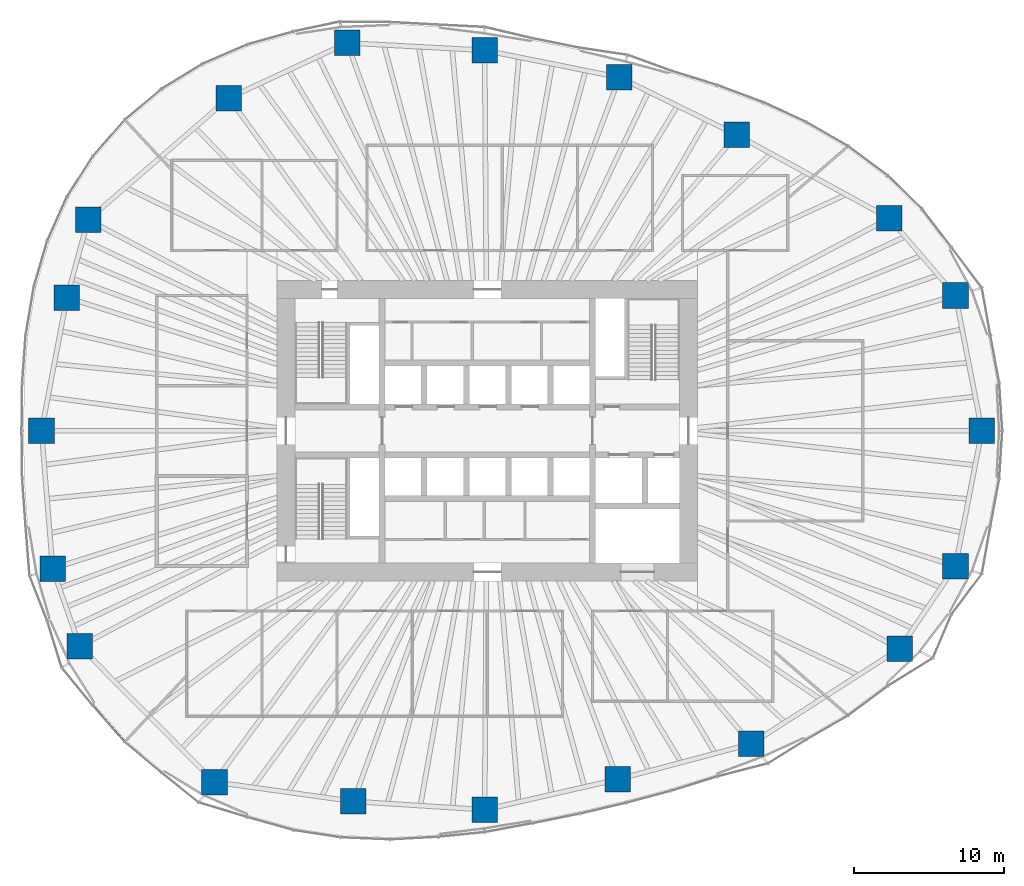
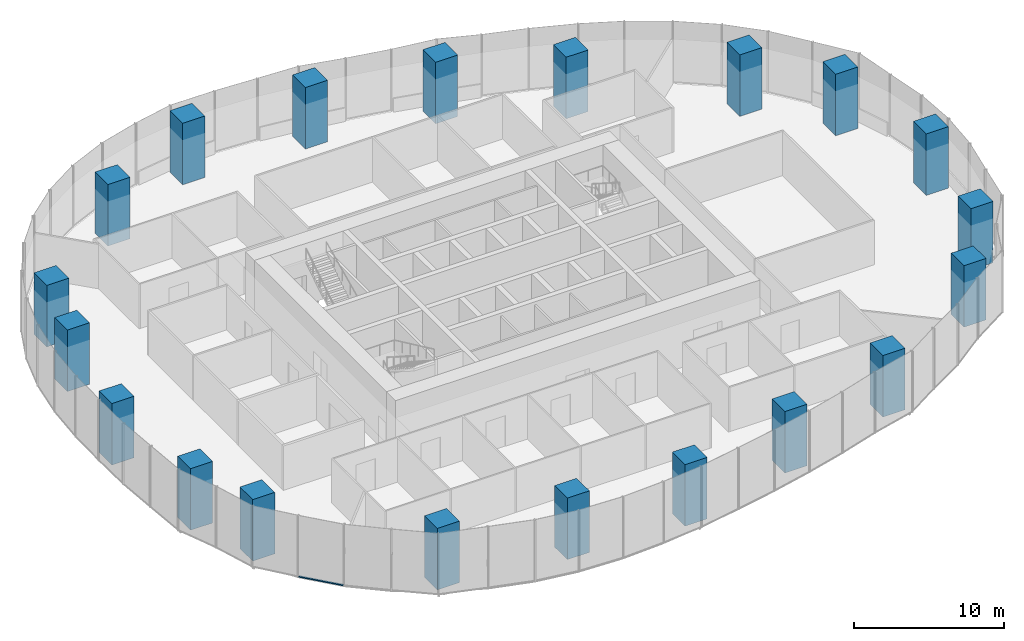
# One storey, part 1 of 20: 20 columns, 1 member, 1 element without a shape of its own.
"""IFC4 building model written with IfcOpenShell, lengths in metres."""

import ifcopenshell
import ifcopenshell.guid

model = None  # the IFC model being written
_history = None  # IfcOwnerHistory: only IFC2X3 demands one
_inside = {}  # id of a spatial element -> (the spatial element, [elements in it])
_under = {}  # id of a project, library or spatial element -> (it, [spatial elements below it])
_declared = {}  # id of a project -> (the project, [libraries it declares])
_typed = {}  # id of a type object -> (the type object, [elements of that type])
_made_of = {}  # id of a material, layer set ... -> (it, [elements and type objects made of it])


def new_model(schema):
    """Start an empty IFC model of exactly this schema.

    Asked for "IFC4X3", IfcOpenShell would pick the latest addendum, in which some entities
    have other attributes; the version numbers below select the first issue.
    IFC2X3 requires an IfcOwnerHistory on every rooted entity: one is made here for all.
    """
    global model, _history
    if schema == "IFC4X3":
        model = ifcopenshell.file(schema_version=(4, 3, 0, 0))
    else:
        model = ifcopenshell.file(schema=schema)
    _inside.clear()
    _under.clear()
    _declared.clear()
    _typed.clear()
    _made_of.clear()
    _history = None
    if model.schema == "IFC2X3":
        org = make("IfcOrganization", Name="unknown")
        user = make(
            "IfcPersonAndOrganization",
            ThePerson=make("IfcPerson", FamilyName="unknown"),
            TheOrganization=org,
        )
        app = make(
            "IfcApplication",
            ApplicationDeveloper=org,
            Version="unknown",
            ApplicationFullName="unknown",
            ApplicationIdentifier="unknown",
        )
        _history = make(
            "IfcOwnerHistory",
            OwningUser=user,
            OwningApplication=app,
            ChangeAction="ADDED",
            CreationDate=0,
        )
    return model


def make(cls, **values):
    """One entity of the class cls with the attributes given. An attribute that is None is left unset."""
    return model.create_entity(
        cls, **{name: value for name, value in values.items() if value is not None}
    )


def rooted(cls, **values):
    """An entity with a GlobalId (a new one), such as an element, a storey or a relation."""
    return make(cls, GlobalId=ifcopenshell.guid.new(), OwnerHistory=_history, **values)


def si_unit(unit_type, name, prefix=None):
    """IfcSIUnit, for example si_unit("LENGTHUNIT", "METRE", prefix="MILLI")."""
    return make("IfcSIUnit", UnitType=unit_type, Prefix=prefix, Name=name)


def assignment(units):
    """IfcUnitAssignment: the units of a project."""
    return None if units is None else make("IfcUnitAssignment", Units=units)


def point(xyz):
    """IfcCartesianPoint."""
    return None if xyz is None else make("IfcCartesianPoint", Coordinates=xyz)


def direction(xyz):
    """IfcDirection."""
    return None if xyz is None else make("IfcDirection", DirectionRatios=xyz)


def frame(location, z_axis=None, x_axis=None):
    """IfcAxis2Placement3D, a coordinate frame: its origin and axes. An axis left out is left unset."""
    return make(
        "IfcAxis2Placement3D",
        Location=point(location),
        Axis=direction(z_axis),
        RefDirection=direction(x_axis),
    )


def frame_2d(location, x_axis=None):
    """IfcAxis2Placement2D, a coordinate frame in the plane: its origin and x axis."""
    return make(
        "IfcAxis2Placement2D", Location=point(location), RefDirection=direction(x_axis)
    )


def origin():
    """The frame at (0, 0, 0) with its axes left unset."""
    return frame((0.0, 0.0, 0.0))


def origin_2d():
    """The frame at (0, 0) in the plane with its x axis left unset."""
    return frame_2d((0.0, 0.0))


def place(relative_to, where):
    """IfcLocalPlacement: puts the frame where relative to a parent placement (None: the world)."""
    return make(
        "IfcLocalPlacement", PlacementRelTo=relative_to, RelativePlacement=where
    )


def context(
    kind, dimensions, precision=None, world=None, true_north=None, identifier=None
):
    """IfcGeometricRepresentationContext, for example the 3D "Model" context."""
    return make(
        "IfcGeometricRepresentationContext",
        ContextIdentifier=identifier,
        ContextType=kind,
        CoordinateSpaceDimension=dimensions,
        Precision=precision,
        WorldCoordinateSystem=world,
        TrueNorth=true_north,
    )


def subcontext(parent, identifier, kind, view, scale=None):
    """IfcGeometricRepresentationSubContext, for example "Body" below "Model"."""
    return make(
        "IfcGeometricRepresentationSubContext",
        ContextIdentifier=identifier,
        ContextType=kind,
        ParentContext=parent,
        TargetScale=scale,
        TargetView=view,
    )


def project(units=None, contexts=None):
    """IfcProject with its units and contexts."""
    return rooted(
        "IfcProject",
        Name="project",
        RepresentationContexts=contexts,
        UnitsInContext=assignment(units),
    )


def spatial(cls, under=None, at=None, **own):
    """A site, building, storey or space (cls), placed at a placement, below another one or the project."""
    s = rooted(cls, ObjectPlacement=at, **own)
    if under is not None:
        _under.setdefault(under.id(), (under, []))[1].append(s)
    return s


def profile(cls, at=None, kind="AREA", **sizes):
    """A parametric profile (cls). Its sizes go by their IFC names, for example OverallWidth=200.0."""
    return make(cls, ProfileType=kind, Position=at, **sizes)


def rectangle(**sizes):
    """IfcRectangleProfileDef."""
    return profile("IfcRectangleProfileDef", **sizes)


def extrude(swept, where, along, depth):
    """IfcExtrudedAreaSolid: the profile swept, set in the frame where, extruded along a direction by depth."""
    return make(
        "IfcExtrudedAreaSolid",
        SweptArea=swept,
        Position=where,
        ExtrudedDirection=direction(along),
        Depth=depth,
    )


def shape(context_of_items, identifier, shape_type, items):
    """IfcShapeRepresentation: the items that make up one representation, for example the "Body"."""
    return make(
        "IfcShapeRepresentation",
        ContextOfItems=context_of_items,
        RepresentationIdentifier=identifier,
        RepresentationType=shape_type,
        Items=items,
    )


def material(Name=None, Category=None):
    """IfcMaterial."""
    return make("IfcMaterial", Name=Name, Category=Category)


def material_profile(
    of_material, cross_section, Name=None, Category=None, Priority=None
):
    """IfcMaterialProfile: a cross section and its material."""
    return make(
        "IfcMaterialProfile",
        Name=Name,
        Material=of_material,
        Profile=cross_section,
        Priority=Priority,
        Category=Category,
    )


def profile_set(profiles, Name=None, composite=None):
    """IfcMaterialProfileSet."""
    return make(
        "IfcMaterialProfileSet",
        Name=Name,
        MaterialProfiles=profiles,
        CompositeProfile=composite,
    )


def made_of(thing, what):
    """Note that an element or type object is made of a material, layer set ...; save() writes the relation."""
    if what is not None:
        _made_of.setdefault(what.id(), (what, []))[1].append(thing)
    return thing


def type_object(cls, material=None, **own):
    """A type object (cls), such as IfcWallType, which elements share."""
    return made_of(rooted(cls, **own), material)


def element(
    cls,
    number,
    at=None,
    inside=None,
    cuts=None,
    type_object=None,
    material=None,
    context=None,
    identifier="Body",
    shape_type=None,
    held_by="IfcProductDefinitionShape",
    body=None,
    shapes=None,
    **own,
):
    """One element of the class cls, such as IfcWall. Its Tag is "e" and its number.

    at: its placement. inside: the storey or other place that contains it. cuts: it is an
    opening in that element (IfcRelVoidsElement). A single representation is given by context,
    identifier, shape_type and body (its items); several are given by shapes. held_by: the class
    of the entity that holds the representations. save() writes the other relations.
    """
    e = rooted(cls, Tag="e%d" % number, ObjectPlacement=at, **own)
    if body is not None:
        shapes = [shape(context, identifier, shape_type, body)]
    if shapes is not None:
        e.Representation = make(held_by, Representations=shapes)
    if inside is not None:
        _inside.setdefault(inside.id(), (inside, []))[1].append(e)
    if cuts is not None:
        rooted(
            "IfcRelVoidsElement", RelatingBuildingElement=cuts, RelatedOpeningElement=e
        )
    if type_object is not None:
        _typed.setdefault(type_object.id(), (type_object, []))[1].append(e)
    return made_of(e, material)


def aggregate(whole, parts):
    """IfcRelAggregates: a whole, such as a stair, and the parts it consists of."""
    return rooted("IfcRelAggregates", RelatingObject=whole, RelatedObjects=parts)


def save(model, path):
    """Write the relations noted so far, then the file.

    IfcRelAggregates (storeys below a building ...), IfcRelContainedInSpatialStructure (elements
    in a storey), IfcRelDefinesByType, IfcRelAssociatesMaterial and IfcRelDeclares: one each for
    every whole, place, type object, material and project.
    """
    for whole, parts in _under.values():
        aggregate(whole, parts)
    for where, things in _inside.values():
        rooted(
            "IfcRelContainedInSpatialStructure",
            RelatedElements=things,
            RelatingStructure=where,
        )
    for kind, things in _typed.values():
        rooted("IfcRelDefinesByType", RelatedObjects=things, RelatingType=kind)
    for what, things in _made_of.values():
        rooted("IfcRelAssociatesMaterial", RelatedObjects=things, RelatingMaterial=what)
    for by, libraries in _declared.values():
        rooted("IfcRelDeclares", RelatingContext=by, RelatedDefinitions=libraries)
    model.write(path)


model = new_model("IFC4")

# Units and contexts
model_context = context("Model", 3, precision=1e-05, world=origin(), true_north=direction((0.0, 1.0)))
body_context = subcontext(model_context, "Body", "Model", "MODEL_VIEW")
ifc_project = project(units=[si_unit("LENGTHUNIT", "METRE"), si_unit("AREAUNIT", "SQUARE_METRE"), si_unit("VOLUMEUNIT", "CUBIC_METRE"), si_unit("PLANEANGLEUNIT", "RADIAN"), si_unit("MASSUNIT", "GRAM", prefix="KILO")], contexts=[model_context])

# Site, building, storey
site_placement = place(None, origin())
site = spatial("IfcSite", under=ifc_project, at=site_placement, CompositionType="ELEMENT")
building_placement = place(site_placement, origin())
building = spatial("IfcBuilding", under=site, at=building_placement, Name="Ghaith Harvest Tower", CompositionType="ELEMENT")
storey_placement = place(building_placement, frame((0.0, 0.0, 55.0)))
storey = spatial("IfcBuildingStorey", under=building, at=storey_placement, Name="L11", CompositionType="ELEMENT", Elevation=55.0)

# Columns
ifc_material_1 = material(Name="Concrete C70/85", Category="concrete")
ifc_material_profile_1 = material_profile(ifc_material_1, rectangle(XDim=1.699951171875, YDim=1.699951171875, at=origin_2d()), Name="RC1700X1700")
ifc_profile_set_1 = profile_set([ifc_material_profile_1], Name="Concrete C70/85")
column_type = type_object("IfcColumnType", Name="TC2 RC1700X1700", PredefinedType="COLUMN", material=ifc_profile_set_1)
for number, where, z_axis, x_axis, name in (
    (1, (32.925048828125, 0.0, 0.0), (0.0, 0.0, 1.0), (1.0, 0.0, 0.0), "Perimeter column C01"),
    (2, (31.166015625, 9.008056640625, 0.0), (0.0, 0.0, 1.0), (1.0, 0.0, 0.0), "Perimeter column C02"),
    (3, (26.763916015625, 14.14697265625, 0.0), (0.0, 0.0, 1.0), (1.0, 0.0, 0.0), "Perimeter column C03"),
    (4, (16.60791015625, 19.695068359375, 0.0), (0.0, 0.0, 1.0), (1.0, 0.0, 0.0), "Perimeter column C04"),
    (5, (8.794921875, 23.527099609375, 0.0), (0.0, 0.0, 1.0), (1.0, 0.0, 0.0), "Perimeter column C05"),
    (6, (-0.173095703125, 25.326904296875, 0.0), (0.0, 0.0, 1.0), (1.0, 0.0, 0.0), "Perimeter column C06"),
    (7, (-9.325927734375, 25.821044921875, 0.0), (0.0, 0.0, 1.0), (1.0, 0.0, 0.0), "Perimeter column C07"),
    (8, (-17.201904296875, 22.14990234375, 0.0), (0.0, 0.0, 1.0), (1.0, 0.0, 0.0), "Perimeter column C08"),
    (9, (-26.572998046875, 14.0458984375, 0.0), (0.0, 0.0, 1.0), (1.0, 0.0, 0.0), "Perimeter column C09"),
    (10, (-27.98291015625, 8.867919921875, 0.0), (0.0, 0.0, 1.0), (1.0, 0.0, 0.0), "Perimeter column C10"),
    (11, (-29.675048828125, 0.0, 0.0), (0.0, 0.0, 1.0), (1.0, 0.0, 0.0), "Perimeter column C11"),
    (12, (-28.929931640625, -9.16796875, 0.0), (0.0, 0.0, 1.0), (1.0, 0.0, 0.0), "Perimeter column C12"),
    (13, (-27.132080078125, -14.341064453125, 0.0), (0.0, 0.0, 1.0), (1.0, 0.0, 0.0), "Perimeter column C13"),
    (14, (-18.157958984375, -23.3798828125, 0.0), (0.0, 0.0, 1.0), (1.0, 0.0, 0.0), "Perimeter column C14"),
    (15, (-8.908935546875, -24.66796875, 0.0), (0.0, 0.0, 1.0), (1.0, 0.0, 0.0), "Perimeter column C15"),
    (16, (-0.173095703125, -25.22412109375, 0.0), (0.0, 0.0, 1.0), (1.0, 0.0, 0.0), "Perimeter column C16"),
    (17, (8.674072265625, -23.202880859375, 0.0), (0.0, 0.0, 1.0), (1.0, 0.0, 0.0), "Perimeter column C17"),
    (18, (17.572021484375, -20.8369140625, 0.0), (0.0, 0.0, 1.0), (1.0, 0.0, 0.0), "Perimeter column C18"),
    (19, (27.448974609375, -14.509033203125, 0.0), (0.0, 0.0, 1.0), (1.0, 0.0, 0.0), "Perimeter column C19"),
    (20, (31.166015625, -9.008056640625, 0.0), (0.0, 0.0, 1.0), (1.0, 0.0, 0.0), "Perimeter column C20"),
):
    element("IfcColumn", number, at=place(storey_placement, frame(where, z_axis=z_axis, x_axis=x_axis)), inside=storey, type_object=column_type, Name=name, PredefinedType="COLUMN", context=body_context, shape_type="SweptSolid", body=[
        extrude(rectangle(XDim=1.699951171875, YDim=1.699951171875, at=origin_2d()), origin(), (0.0, 0.0, 1.0), 5.0),
    ])

# Curtain wall, member
ifc_material_2 = material(Name="Black anodised aluminium and fritted glass", Category="aluminium")
curtain_wall_type = type_object("IfcCurtainWallType", Name="CW-F CURTAIN WALL", PredefinedType="NOTDEFINED", material=ifc_material_2)
curtain_wall_placement = place(storey_placement, origin())
curtain_wall = element("IfcCurtainWall", 21, at=curtain_wall_placement, inside=storey, type_object=curtain_wall_type, Name="Curtain wall CW-F bay 13 L11", PredefinedType="NOTDEFINED")
ifc_material_3 = material(Name="Aluminium, black anodised", Category="aluminium")
ifc_material_profile_2 = material_profile(ifc_material_3, rectangle(XDim=0.139892578125, YDim=0.080078125, at=origin_2d()), Name="CW-F TRANSOM 140x80")
ifc_profile_set_2 = profile_set([ifc_material_profile_2], Name="Aluminium, black anodised")
member_type = type_object("IfcMemberType", Name="CW-F TRANSOM 140x80", PredefinedType="USERDEFINED", material=ifc_profile_set_2)
member_placement = place(storey_placement, frame((-26.23681640625, -18.30419921875, 0.0400390625), z_axis=(0.65923052982, -0.751940894322, 0.0), x_axis=(0.751940894322, 0.65923052982, 0.0)))
member = element("IfcMember", 22, at=member_placement, type_object=member_type, Name="CW-F transom 1 bay 13 L11", ObjectType="TRANSOM", PredefinedType="USERDEFINED", context=body_context, shape_type="SweptSolid", body=[
    extrude(rectangle(XDim=0.139892578125, YDim=0.080078125, at=origin_2d()), origin(), (0.0, 0.0, 1.0), 3.1416015625),
])
aggregate(curtain_wall, [member])

save(model, "model.ifc")
